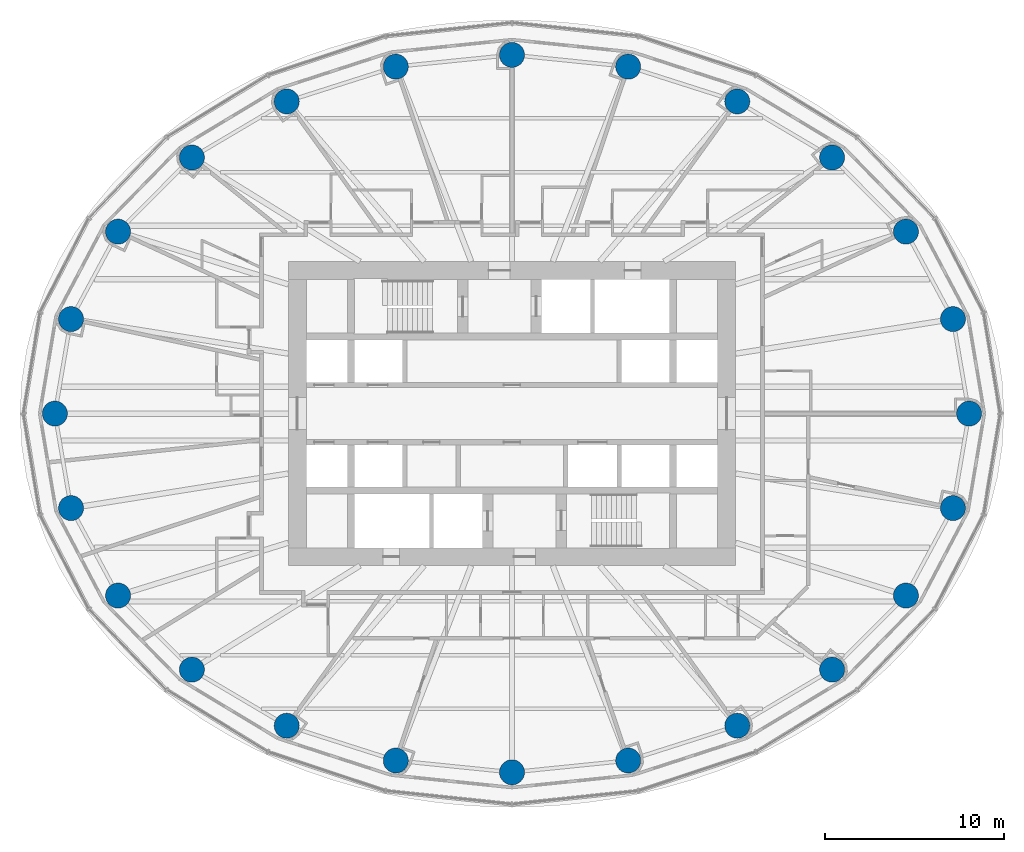
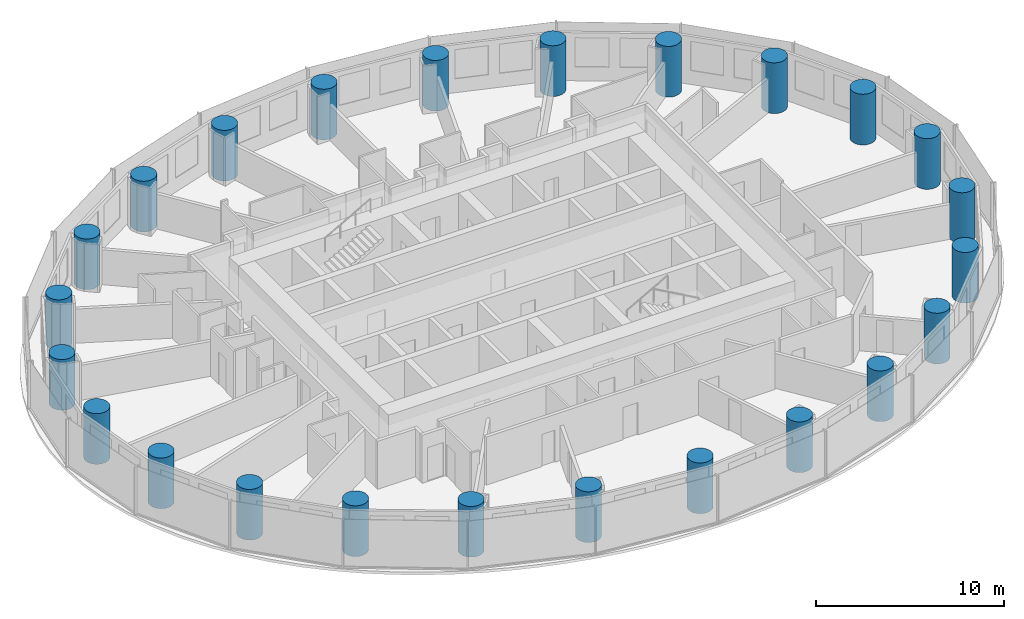
# One storey, part 1 of 14: 24 columns.
"""IFC4 building model written with IfcOpenShell, lengths in metres."""

from ifc_helpers import new_model, si_unit, direction, frame, origin, origin_2d, place, context, subcontext, project, spatial, circle, extrude, material, material_profile, profile_set, type_object, element, save


model = new_model("IFC4")

# Units and contexts
model_context = context("Model", 3, precision=1e-05, world=origin(), true_north=direction((0.0, 1.0)))
body_context = subcontext(model_context, "Body", "Model", "MODEL_VIEW")
ifc_project = project(units=[si_unit("LENGTHUNIT", "METRE"), si_unit("AREAUNIT", "SQUARE_METRE"), si_unit("VOLUMEUNIT", "CUBIC_METRE"), si_unit("PLANEANGLEUNIT", "RADIAN"), si_unit("MASSUNIT", "GRAM", prefix="KILO")], contexts=[model_context])

# Site, building, storey
site_placement = place(None, origin())
site = spatial("IfcSite", under=ifc_project, at=site_placement, CompositionType="ELEMENT")
building_placement = place(site_placement, origin())
building = spatial("IfcBuilding", under=site, at=building_placement, Name="Hankou Lantern Tower", CompositionType="ELEMENT")
storey_placement = place(building_placement, frame((0.0, 0.0, 87.0)))
storey = spatial("IfcBuildingStorey", under=building, at=storey_placement, Name="L22", CompositionType="ELEMENT", Elevation=87.0)

# Columns
ifc_material = material(Name="Concrete C60", Category="concrete")
ifc_material_profile = material_profile(ifc_material, circle(Radius=0.699951171875, at=origin_2d()), Name="RC D1400")
ifc_profile_set = profile_set([ifc_material_profile], Name="Concrete C60")
column_type = type_object("IfcColumnType", Name="TC2 PERIMETER COLUMN RC D1400", PredefinedType="COLUMN", material=ifc_profile_set)
for number, where, z_axis, x_axis, name in (
    (1, (25.550048828125, 0.0, 0.0), (0.0, 0.0, 1.0), (1.0, 0.0, 0.0), "Column R01 L22"),
    (2, (24.64697265625, 5.283203125, 0.0), (0.0, 0.0, 1.0), (1.0, 0.0, 0.0), "Column R02 L22"),
    (3, (22.01904296875, 10.170166015625, 0.0), (0.0, 0.0, 1.0), (1.0, 0.0, 0.0), "Column R03 L22"),
    (4, (17.891845703125, 14.3134765625, 0.0), (0.0, 0.0, 1.0), (1.0, 0.0, 0.0), "Column R04 L22"),
    (5, (12.5908203125, 17.446533203125, 0.0), (0.0, 0.0, 1.0), (1.0, 0.0, 0.0), "Column R05 L22"),
    (6, (6.494873046875, 19.391357421875, 0.0), (0.0, 0.0, 1.0), (1.0, 0.0, 0.0), "Column R06 L22"),
    (7, (0.0, 20.050048828125, 0.0), (0.0, 0.0, 1.0), (1.0, 0.0, 0.0), "Column R07 L22"),
    (8, (-6.494873046875, 19.391357421875, 0.0), (0.0, 0.0, 1.0), (1.0, 0.0, 0.0), "Column R08 L22"),
    (9, (-12.5908203125, 17.446533203125, 0.0), (0.0, 0.0, 1.0), (1.0, 0.0, 0.0), "Column R09 L22"),
    (10, (-17.891845703125, 14.3134765625, 0.0), (0.0, 0.0, 1.0), (1.0, 0.0, 0.0), "Column R10 L22"),
    (11, (-22.01904296875, 10.170166015625, 0.0), (0.0, 0.0, 1.0), (1.0, 0.0, 0.0), "Column R11 L22"),
    (12, (-24.64697265625, 5.283203125, 0.0), (0.0, 0.0, 1.0), (1.0, 0.0, 0.0), "Column R12 L22"),
    (13, (-25.550048828125, 0.0, 0.0), (0.0, 0.0, 1.0), (1.0, 0.0, 0.0), "Column R13 L22"),
    (14, (-24.64697265625, -5.283203125, 0.0), (0.0, 0.0, 1.0), (1.0, 0.0, 0.0), "Column R14 L22"),
    (15, (-22.01904296875, -10.170166015625, 0.0), (0.0, 0.0, 1.0), (1.0, 0.0, 0.0), "Column R15 L22"),
    (16, (-17.891845703125, -14.3134765625, 0.0), (0.0, 0.0, 1.0), (1.0, 0.0, 0.0), "Column R16 L22"),
    (17, (-12.5908203125, -17.446533203125, 0.0), (0.0, 0.0, 1.0), (1.0, 0.0, 0.0), "Column R17 L22"),
    (18, (-6.494873046875, -19.391357421875, 0.0), (0.0, 0.0, 1.0), (1.0, 0.0, 0.0), "Column R18 L22"),
    (19, (0.0, -20.050048828125, 0.0), (0.0, 0.0, 1.0), (1.0, 0.0, 0.0), "Column R19 L22"),
    (20, (6.494873046875, -19.391357421875, 0.0), (0.0, 0.0, 1.0), (1.0, 0.0, 0.0), "Column R20 L22"),
    (21, (12.5908203125, -17.446533203125, 0.0), (0.0, 0.0, 1.0), (1.0, 0.0, 0.0), "Column R21 L22"),
    (22, (17.891845703125, -14.3134765625, 0.0), (0.0, 0.0, 1.0), (1.0, 0.0, 0.0), "Column R22 L22"),
    (23, (22.01904296875, -10.170166015625, 0.0), (0.0, 0.0, 1.0), (1.0, 0.0, 0.0), "Column R23 L22"),
    (24, (24.64697265625, -5.283203125, 0.0), (0.0, 0.0, 1.0), (1.0, 0.0, 0.0), "Column R24 L22"),
):
    element("IfcColumn", number, at=place(storey_placement, frame(where, z_axis=z_axis, x_axis=x_axis)), inside=storey, type_object=column_type, Name=name, PredefinedType="COLUMN", context=body_context, shape_type="SweptSolid", body=[
        extrude(circle(Radius=0.699951171875, at=origin_2d()), origin(), (0.0, 0.0, 1.0), 3.300048828125),
    ])

save(model, "model.ifc")
